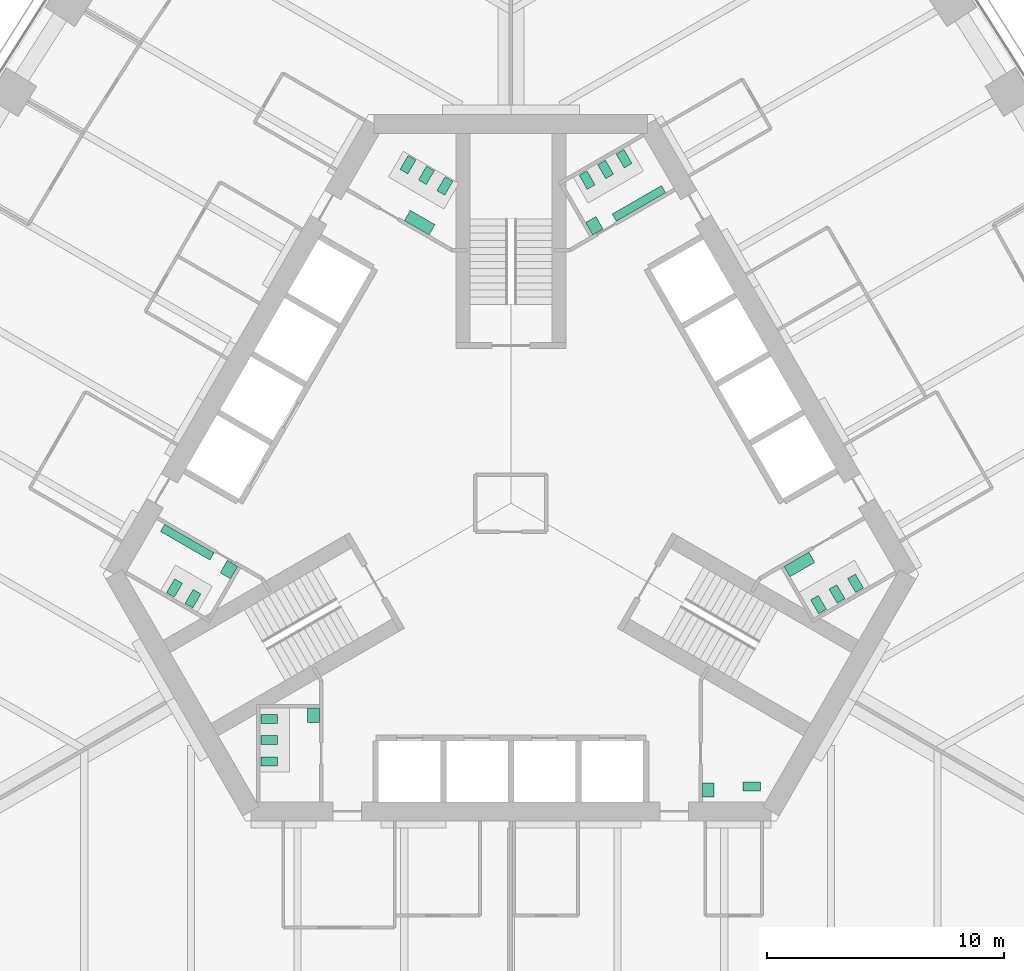
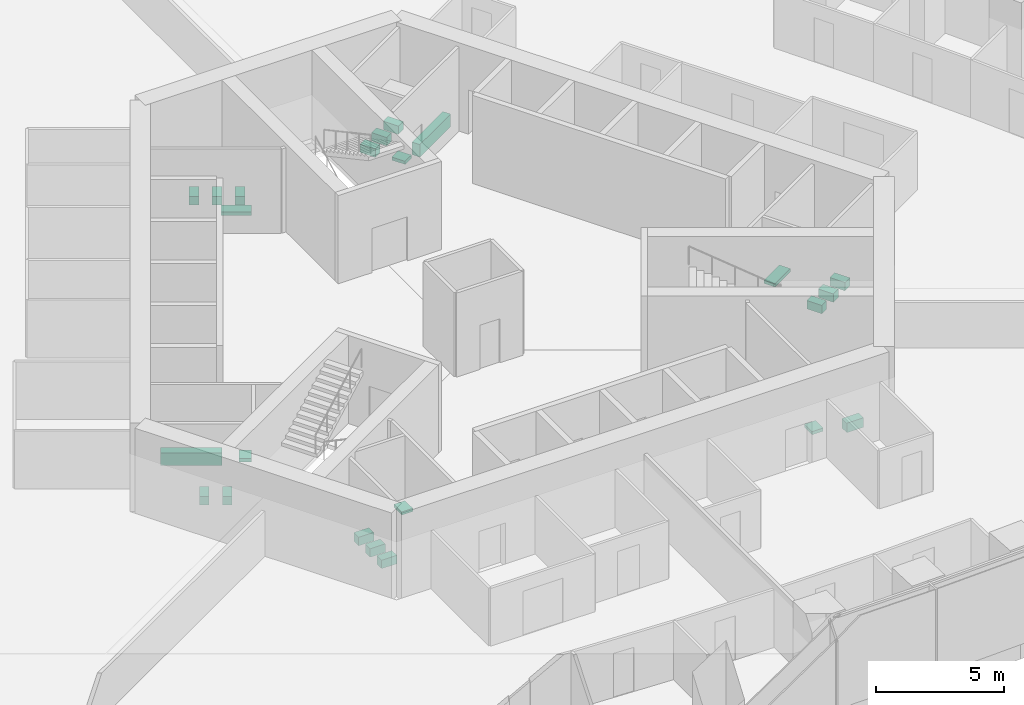
# One storey, part 17 of 18: 23 sanitary terminals.
"""IFC4 building model written with IfcOpenShell, lengths in metres."""

from ifc_helpers import new_model, si_unit, direction, frame, origin, place, context, subcontext, project, spatial, polyline, outline, extrude, material, type_object, element, save


model = new_model("IFC4")

# Units and contexts
model_context = context("Model", 3, precision=1e-05, world=origin(), true_north=direction((0.0, 1.0)))
body_context = subcontext(model_context, "Body", "Model", "MODEL_VIEW")
ifc_project = project(units=[si_unit("LENGTHUNIT", "METRE"), si_unit("AREAUNIT", "SQUARE_METRE"), si_unit("VOLUMEUNIT", "CUBIC_METRE"), si_unit("PLANEANGLEUNIT", "RADIAN"), si_unit("MASSUNIT", "GRAM", prefix="KILO")], contexts=[model_context])

# Site, building, storey
site_placement = place(None, origin())
site = spatial("IfcSite", under=ifc_project, at=site_placement, CompositionType="ELEMENT")
building_placement = place(site_placement, origin())
building = spatial("IfcBuilding", under=site, at=building_placement, Name="Trefoil Bronze Tower", CompositionType="ELEMENT")
storey_placement = place(building_placement, frame((0.0, 0.0, 29.10009765625)))
storey = spatial("IfcBuildingStorey", under=building, at=storey_placement, Name="L06", CompositionType="ELEMENT", Elevation=29.10009765625)

# Sanitary terminals
ifc_material_1 = material(Name="Vitreous china", Category="ceramic")
sanitary_terminal_type_1 = type_object("IfcSanitaryTerminalType", Name="Accessible WC pan", PredefinedType="TOILETPAN", material=ifc_material_1)
sanitary_terminal_1_placement = place(storey_placement, origin())
element("IfcSanitaryTerminal", 1, at=sanitary_terminal_1_placement, inside=storey, type_object=sanitary_terminal_type_1, Name="WC pan 1 Accessible WC L06", PredefinedType="TOILETPAN", context=body_context, shape_type="SweptSolid", body=[
    extrude(outline(polyline([(9.784912109375, -11.77001953125), (10.534912109375, -11.77001953125), (10.534912109375, -12.14990234375), (9.784912109375, -12.14990234375), (9.784912109375, -11.77001953125)])), origin(), (0.0, 0.0, 1.0), 0.449951171875),
])
ifc_material_2 = material(Name="Vitreous china", Category="ceramic")
sanitary_terminal_type_2 = type_object("IfcSanitaryTerminalType", Name="Accessible basin", PredefinedType="WASHHANDBASIN", material=ifc_material_2)
sanitary_terminal_2_placement = place(storey_placement, frame((0.0, 0.0, 0.64990234375)))
element("IfcSanitaryTerminal", 2, at=sanitary_terminal_2_placement, inside=storey, type_object=sanitary_terminal_type_2, Name="Wash basin Accessible WC L06", PredefinedType="WASHHANDBASIN", context=body_context, shape_type="SweptSolid", body=[
    extrude(outline(polyline([(8.074951171875, -11.800048828125), (8.574951171875, -11.800048828125), (8.574951171875, -12.39990234375), (8.074951171875, -12.39990234375), (8.074951171875, -11.800048828125)])), origin(), (0.0, 0.0, 1.0), 0.14990234375),
])
ifc_material_3 = material(Name="Vitreous china", Category="ceramic")
sanitary_terminal_type_3 = type_object("IfcSanitaryTerminalType", Name="Urinal range 4 urinals", PredefinedType="URINAL", material=ifc_material_3)
sanitary_terminal_3_placement = place(storey_placement, frame((0.0, 0.0, 0.39990234375)))
element("IfcSanitaryTerminal", 3, at=sanitary_terminal_3_placement, inside=storey, type_object=sanitary_terminal_type_3, Name="Urinal range WC (men) L06", PredefinedType="URINAL", context=body_context, shape_type="SweptSolid", body=[
    extrude(outline(polyline([(4.449462890625, 11.89306640625), (4.274658203125, 12.1962890625), (6.35302734375, 13.396240234375), (6.528076171875, 13.09326171875), (4.449462890625, 11.89306640625)])), origin(), (0.0, 0.0, 1.0), 0.60009765625),
])
sanitary_terminal_4_placement = place(storey_placement, frame((0.0, 0.0, 0.39990234375)))
element("IfcSanitaryTerminal", 4, at=sanitary_terminal_4_placement, inside=storey, type_object=sanitary_terminal_type_3, Name="Urinal range WC (men) L06", PredefinedType="URINAL", context=body_context, shape_type="SweptSolid", body=[
    extrude(outline(polyline([(-12.524658203125, -2.09326171875), (-12.699462890625, -2.396240234375), (-14.778076171875, -1.1962890625), (-14.60302734375, -0.89306640625), (-12.524658203125, -2.09326171875)])), origin(), (0.0, 0.0, 1.0), 0.60009765625),
])
ifc_material_4 = material(Name="Solid surface vanity", Category="plastic")
sanitary_terminal_type_4 = type_object("IfcSanitaryTerminalType", Name="Vanity unit 1 basins", PredefinedType="WASHHANDBASIN", material=ifc_material_4)
sanitary_terminal_5_placement = place(storey_placement, frame((0.0, 0.0, 0.75)))
element("IfcSanitaryTerminal", 5, at=sanitary_terminal_5_placement, inside=storey, type_object=sanitary_terminal_type_4, Name="Vanity unit WC (men) L06", PredefinedType="WASHHANDBASIN", context=body_context, shape_type="SweptSolid", body=[
    extrude(outline(polyline([(3.45361328125, 11.318115234375), (3.153564453125, 11.837890625), (3.586669921875, 12.087890625), (3.88671875, 11.568115234375), (3.45361328125, 11.318115234375)])), origin(), (0.0, 0.0, 1.0), 0.14990234375),
])
sanitary_terminal_6_placement = place(storey_placement, frame((0.0, 0.0, 0.75)))
element("IfcSanitaryTerminal", 6, at=sanitary_terminal_6_placement, inside=storey, type_object=sanitary_terminal_type_4, Name="Vanity unit WC (men) L06", PredefinedType="WASHHANDBASIN", context=body_context, shape_type="SweptSolid", body=[
    extrude(outline(polyline([(-11.528564453125, -2.668212890625), (-11.82861328125, -3.187744140625), (-12.26171875, -2.937744140625), (-11.961669921875, -2.418212890625), (-11.528564453125, -2.668212890625)])), origin(), (0.0, 0.0, 1.0), 0.14990234375),
])
sanitary_terminal_7_placement = place(storey_placement, frame((0.0, 0.0, 0.75)))
element("IfcSanitaryTerminal", 7, at=sanitary_terminal_7_placement, inside=storey, type_object=sanitary_terminal_type_4, Name="Vanity unit WC (women) L06", PredefinedType="WASHHANDBASIN", context=body_context, shape_type="SweptSolid", body=[
    extrude(outline(polyline([(-8.074951171875, -8.64990234375), (-8.574951171875, -8.64990234375), (-8.574951171875, -9.25), (-8.074951171875, -9.25), (-8.074951171875, -8.64990234375)])), origin(), (0.0, 0.0, 1.0), 0.14990234375),
])
ifc_material_5 = material(Name="Solid surface vanity", Category="plastic")
sanitary_terminal_type_5 = type_object("IfcSanitaryTerminalType", Name="Vanity unit 2 basins", PredefinedType="WASHHANDBASIN", material=ifc_material_5)
sanitary_terminal_8_placement = place(storey_placement, frame((0.0, 0.0, 0.75)))
element("IfcSanitaryTerminal", 8, at=sanitary_terminal_8_placement, inside=storey, type_object=sanitary_terminal_type_5, Name="Vanity unit WC (women) L06", PredefinedType="WASHHANDBASIN", context=body_context, shape_type="SweptSolid", body=[
    extrude(outline(polyline([(11.528564453125, -2.668212890625), (11.778564453125, -3.10107421875), (12.81787109375, -2.501220703125), (12.56787109375, -2.068115234375), (11.528564453125, -2.668212890625)])), origin(), (0.0, 0.0, 1.0), 0.14990234375),
])
sanitary_terminal_9_placement = place(storey_placement, frame((0.0, 0.0, 0.75)))
element("IfcSanitaryTerminal", 9, at=sanitary_terminal_9_placement, inside=storey, type_object=sanitary_terminal_type_5, Name="Vanity unit WC (women) L06", PredefinedType="WASHHANDBASIN", context=body_context, shape_type="SweptSolid", body=[
    extrude(outline(polyline([(-3.45361328125, 11.318115234375), (-3.20361328125, 11.751220703125), (-4.242919921875, 12.35107421875), (-4.492919921875, 11.918212890625), (-3.45361328125, 11.318115234375)])), origin(), (0.0, 0.0, 1.0), 0.14990234375),
])
ifc_material_6 = material(Name="Vitreous china", Category="ceramic")
sanitary_terminal_type_6 = type_object("IfcSanitaryTerminalType", Name="WC pan", PredefinedType="TOILETPAN", material=ifc_material_6)
sanitary_terminal_10_placement = place(storey_placement, origin())
element("IfcSanitaryTerminal", 10, at=sanitary_terminal_10_placement, inside=storey, type_object=sanitary_terminal_type_6, Name="WC pan 1 WC (women) L06", PredefinedType="TOILETPAN", context=body_context, shape_type="SweptSolid", body=[
    extrude(outline(polyline([(12.643798828125, -4.07958984375), (12.98388671875, -4.66845703125), (13.31298828125, -4.478515625), (12.972900390625, -3.8896484375), (12.643798828125, -4.07958984375)])), origin(), (0.0, 0.0, 1.0), 0.39990234375),
])
sanitary_terminal_11_placement = place(storey_placement, origin())
element("IfcSanitaryTerminal", 11, at=sanitary_terminal_11_placement, inside=storey, type_object=sanitary_terminal_type_6, Name="WC pan 2 WC (women) L06", PredefinedType="TOILETPAN", context=body_context, shape_type="SweptSolid", body=[
    extrude(outline(polyline([(13.423095703125, -3.629638671875), (13.76318359375, -4.218505859375), (14.09228515625, -4.028564453125), (13.752197265625, -3.439697265625), (13.423095703125, -3.629638671875)])), origin(), (0.0, 0.0, 1.0), 0.39990234375),
])
sanitary_terminal_12_placement = place(storey_placement, origin())
element("IfcSanitaryTerminal", 12, at=sanitary_terminal_12_placement, inside=storey, type_object=sanitary_terminal_type_6, Name="WC pan 3 WC (women) L06", PredefinedType="TOILETPAN", context=body_context, shape_type="SweptSolid", body=[
    extrude(outline(polyline([(14.20263671875, -3.1796875), (14.542724609375, -3.7685546875), (14.871826171875, -3.57861328125), (14.53173828125, -2.98974609375), (14.20263671875, -3.1796875)])), origin(), (0.0, 0.0, 1.0), 0.39990234375),
])
sanitary_terminal_13_placement = place(storey_placement, origin())
element("IfcSanitaryTerminal", 13, at=sanitary_terminal_13_placement, inside=storey, type_object=sanitary_terminal_type_6, Name="WC pan 1 WC (men) L06", PredefinedType="TOILETPAN", context=body_context, shape_type="SweptSolid", body=[
    extrude(outline(polyline([(3.2216796875, 13.23974609375), (2.8818359375, 13.82861328125), (3.2109375, 14.0185546875), (3.55078125, 13.4296875), (3.2216796875, 13.23974609375)])), origin(), (0.0, 0.0, 1.0), 0.39990234375),
])
sanitary_terminal_14_placement = place(storey_placement, origin())
element("IfcSanitaryTerminal", 14, at=sanitary_terminal_14_placement, inside=storey, type_object=sanitary_terminal_type_6, Name="WC pan 2 WC (men) L06", PredefinedType="TOILETPAN", context=body_context, shape_type="SweptSolid", body=[
    extrude(outline(polyline([(4.001220703125, 13.689697265625), (3.6611328125, 14.278564453125), (3.990234375, 14.468505859375), (4.330322265625, 13.879638671875), (4.001220703125, 13.689697265625)])), origin(), (0.0, 0.0, 1.0), 0.39990234375),
])
sanitary_terminal_15_placement = place(storey_placement, origin())
element("IfcSanitaryTerminal", 15, at=sanitary_terminal_15_placement, inside=storey, type_object=sanitary_terminal_type_6, Name="WC pan 3 WC (men) L06", PredefinedType="TOILETPAN", context=body_context, shape_type="SweptSolid", body=[
    extrude(outline(polyline([(4.78076171875, 14.1396484375), (4.440673828125, 14.728515625), (4.769775390625, 14.91845703125), (5.109619140625, 14.32958984375), (4.78076171875, 14.1396484375)])), origin(), (0.0, 0.0, 1.0), 0.39990234375),
])
sanitary_terminal_16_placement = place(storey_placement, origin())
element("IfcSanitaryTerminal", 16, at=sanitary_terminal_16_placement, inside=storey, type_object=sanitary_terminal_type_6, Name="WC pan 1 WC (women) L06", PredefinedType="TOILETPAN", context=body_context, shape_type="SweptSolid", body=[
    extrude(outline(polyline([(-2.788818359375, 12.98974609375), (-2.44873046875, 13.57861328125), (-2.77783203125, 13.7685546875), (-3.117919921875, 13.1796875), (-2.788818359375, 12.98974609375)])), origin(), (0.0, 0.0, 1.0), 0.39990234375),
])
sanitary_terminal_17_placement = place(storey_placement, origin())
element("IfcSanitaryTerminal", 17, at=sanitary_terminal_17_placement, inside=storey, type_object=sanitary_terminal_type_6, Name="WC pan 2 WC (women) L06", PredefinedType="TOILETPAN", context=body_context, shape_type="SweptSolid", body=[
    extrude(outline(polyline([(-3.568115234375, 13.439697265625), (-3.228271484375, 14.028564453125), (-3.557373046875, 14.218505859375), (-3.897216796875, 13.629638671875), (-3.568115234375, 13.439697265625)])), origin(), (0.0, 0.0, 1.0), 0.39990234375),
])
sanitary_terminal_18_placement = place(storey_placement, origin())
element("IfcSanitaryTerminal", 18, at=sanitary_terminal_18_placement, inside=storey, type_object=sanitary_terminal_type_6, Name="WC pan 3 WC (women) L06", PredefinedType="TOILETPAN", context=body_context, shape_type="SweptSolid", body=[
    extrude(outline(polyline([(-4.34765625, 13.8896484375), (-4.007568359375, 14.478515625), (-4.336669921875, 14.66845703125), (-4.6767578125, 14.07958984375), (-4.34765625, 13.8896484375)])), origin(), (0.0, 0.0, 1.0), 0.39990234375),
])
sanitary_terminal_19_placement = place(storey_placement, origin())
element("IfcSanitaryTerminal", 19, at=sanitary_terminal_19_placement, inside=storey, type_object=sanitary_terminal_type_6, Name="WC pan 1 WC (men) L06", PredefinedType="TOILETPAN", context=body_context, shape_type="SweptSolid", body=[
    extrude(outline(polyline([(-13.076904296875, -3.82958984375), (-13.416748046875, -4.41845703125), (-13.745849609375, -4.228515625), (-13.406005859375, -3.6396484375), (-13.076904296875, -3.82958984375)])), origin(), (0.0, 0.0, 1.0), 0.39990234375),
])
sanitary_terminal_20_placement = place(storey_placement, origin())
element("IfcSanitaryTerminal", 20, at=sanitary_terminal_20_placement, inside=storey, type_object=sanitary_terminal_type_6, Name="WC pan 2 WC (men) L06", PredefinedType="TOILETPAN", context=body_context, shape_type="SweptSolid", body=[
    extrude(outline(polyline([(-13.856201171875, -3.379638671875), (-14.1962890625, -3.968505859375), (-14.525390625, -3.778564453125), (-14.185302734375, -3.189697265625), (-13.856201171875, -3.379638671875)])), origin(), (0.0, 0.0, 1.0), 0.39990234375),
])
sanitary_terminal_21_placement = place(storey_placement, origin())
element("IfcSanitaryTerminal", 21, at=sanitary_terminal_21_placement, inside=storey, type_object=sanitary_terminal_type_6, Name="WC pan 1 WC (women) L06", PredefinedType="TOILETPAN", context=body_context, shape_type="SweptSolid", body=[
    extrude(outline(polyline([(-9.85498046875, -8.909912109375), (-10.534912109375, -8.909912109375), (-10.534912109375, -9.2900390625), (-9.85498046875, -9.2900390625), (-9.85498046875, -8.909912109375)])), origin(), (0.0, 0.0, 1.0), 0.39990234375),
])
sanitary_terminal_22_placement = place(storey_placement, origin())
element("IfcSanitaryTerminal", 22, at=sanitary_terminal_22_placement, inside=storey, type_object=sanitary_terminal_type_6, Name="WC pan 2 WC (women) L06", PredefinedType="TOILETPAN", context=body_context, shape_type="SweptSolid", body=[
    extrude(outline(polyline([(-9.85498046875, -9.81005859375), (-10.534912109375, -9.81005859375), (-10.534912109375, -10.18994140625), (-9.85498046875, -10.18994140625), (-9.85498046875, -9.81005859375)])), origin(), (0.0, 0.0, 1.0), 0.39990234375),
])
sanitary_terminal_23_placement = place(storey_placement, origin())
element("IfcSanitaryTerminal", 23, at=sanitary_terminal_23_placement, inside=storey, type_object=sanitary_terminal_type_6, Name="WC pan 3 WC (women) L06", PredefinedType="TOILETPAN", context=body_context, shape_type="SweptSolid", body=[
    extrude(outline(polyline([(-9.85498046875, -10.7099609375), (-10.534912109375, -10.7099609375), (-10.534912109375, -11.090087890625), (-9.85498046875, -11.090087890625), (-9.85498046875, -10.7099609375)])), origin(), (0.0, 0.0, 1.0), 0.39990234375),
])

save(model, "model.ifc")
